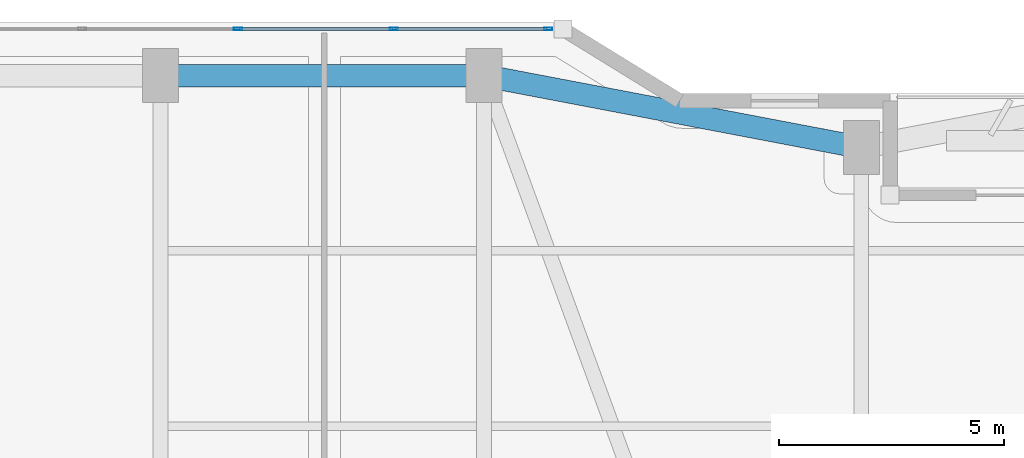
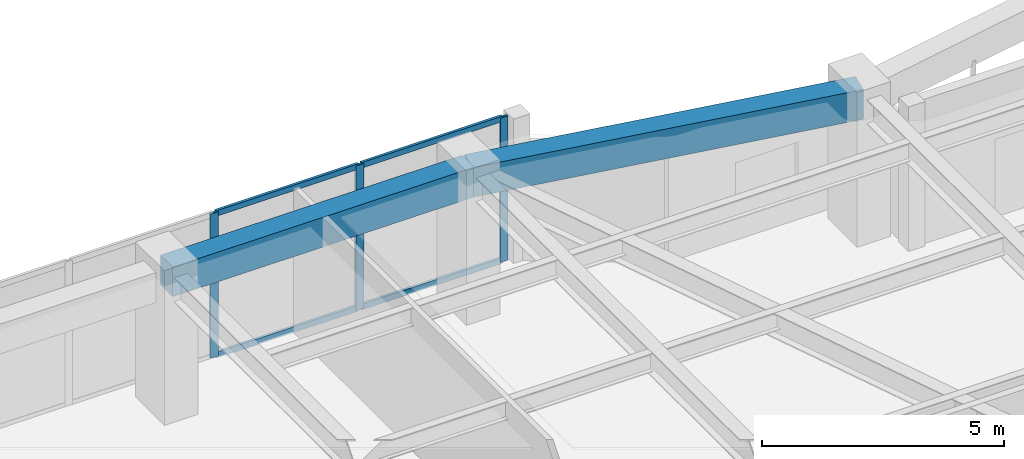
# One storey, part 14 of 24: 7 members, 2 beams, 1 element without a shape of its own.
"""IFC4 building model written with IfcOpenShell, lengths in metres."""

from ifc_helpers import new_model, si_unit, direction, frame, origin, origin_2d, place, context, subcontext, project, spatial, rectangle, hollow_rectangle, extrude, material, layer, layer_set, material_profile, profile_set, type_object, element, aggregate, save


model = new_model("IFC4")

# Units and contexts
model_context = context("Model", 3, precision=1e-05, world=origin(), true_north=direction((0.0, 1.0)))
body_context = subcontext(model_context, "Body", "Model", "MODEL_VIEW")
ifc_project = project(units=[si_unit("LENGTHUNIT", "METRE"), si_unit("AREAUNIT", "SQUARE_METRE"), si_unit("VOLUMEUNIT", "CUBIC_METRE"), si_unit("PLANEANGLEUNIT", "RADIAN"), si_unit("MASSUNIT", "GRAM", prefix="KILO")], contexts=[model_context])

# Site, building, storey
site_placement = place(None, origin())
site = spatial("IfcSite", under=ifc_project, at=site_placement, CompositionType="ELEMENT")
building_placement = place(site_placement, origin())
building = spatial("IfcBuilding", under=site, at=building_placement, Name="Kiyonajd Concourse Tower", CompositionType="ELEMENT")
storey_placement = place(building_placement, frame((0.0, 0.0, 113.10009765625)))
storey = spatial("IfcBuildingStorey", under=building, at=storey_placement, Name="L29", CompositionType="ELEMENT", Elevation=113.10009765625)

# Beams
ifc_material_1 = material(Name="Precast concrete C50/60", Category="concrete")
ifc_material_profile_1 = material_profile(ifc_material_1, rectangle(XDim=0.5, YDim=0.75, at=origin_2d()), Name="RCBM-500x750")
ifc_profile_set_1 = profile_set([ifc_material_profile_1], Name="Precast concrete C50/60")
beam_type = type_object("IfcBeamType", Name="BM-SPAN-RC", PredefinedType="SPANDREL", material=ifc_profile_set_1)
beam_1_placement = place(storey_placement, frame((48.0, 59.60009765625, 3.264892578125), z_axis=(-0.982341315253, 0.187097675953, 0.0), x_axis=(-0.187097675953, -0.982341315253, 0.0)))
element("IfcBeam", 1, at=beam_1_placement, inside=storey, type_object=beam_type, Name="L29 Perimeter Bundled Tube Spandrel", PredefinedType="SPANDREL", context=body_context, shape_type="SweptSolid", body=[
    extrude(rectangle(XDim=0.5, YDim=0.75, at=origin_2d()), origin(), (0.0, 0.0, 1.0), 8.55078125),
])
beam_2_placement = place(storey_placement, frame((39.60009765625, 61.199951171875, 3.264892578125), z_axis=(-1.0, 0.0, 0.0), x_axis=(0.0, -1.0, 0.0)))
element("IfcBeam", 2, at=beam_2_placement, inside=storey, type_object=beam_type, Name="L29 Perimeter Bundled Tube Spandrel", PredefinedType="SPANDREL", context=body_context, shape_type="SweptSolid", body=[
    extrude(rectangle(XDim=0.5, YDim=0.75, at=origin_2d()), origin(), (0.0, 0.0, 1.0), 7.2001953125),
])

# Curtain wall, members
ifc_material_2 = material(Name="Thermally Broken Anodised Aluminium", Category="aluminium")
ifc_layer = layer(ifc_material_2, 0.179931640625)
ifc_layer_set = layer_set([ifc_layer], Name="Thermally Broken Anodised Aluminium")
curtain_wall_type = type_object("IfcCurtainWallType", Name="CW-SYS-03", PredefinedType="NOTDEFINED", material=ifc_layer_set)
curtain_wall_placement = place(storey_placement, origin())
curtain_wall = element("IfcCurtainWall", 3, at=curtain_wall_placement, inside=storey, type_object=curtain_wall_type, Name="L29 Unitised Curtain Wall CW3", PredefinedType="NOTDEFINED")
ifc_material_profile_2 = material_profile(ifc_material_2, hollow_rectangle(XDim=0.06494140625, YDim=0.179931640625, WallThickness=0.00390625, at=origin_2d()), Name="MULL-65x180")
ifc_profile_set_2 = profile_set([ifc_material_profile_2], Name="Thermally Broken Anodised Aluminium")
member_type_1 = type_object("IfcMemberType", Name="MB-CW-MULL1", PredefinedType="MULLION", material=ifc_profile_set_2)
member_1_placement = place(storey_placement, frame((34.123291015625, 62.239990234375, 0.0), z_axis=(0.0, 0.0, 1.0), x_axis=(0.0, 1.0, 0.0)))
member_1 = element("IfcMember", 4, at=member_1_placement, type_object=member_type_1, Name="CW3 mullion 4", PredefinedType="MULLION", context=body_context, shape_type="SweptSolid", body=[
    extrude(hollow_rectangle(XDim=0.06494140625, YDim=0.179931640625, WallThickness=0.00390625, at=origin_2d()), origin(), (0.0, 0.0, 1.0), 3.639892578125),
])
member_2_placement = place(storey_placement, frame((37.593994140625, 62.239990234375, 0.0), z_axis=(0.0, 0.0, 1.0), x_axis=(0.0, 1.0, 0.0)))
member_2 = element("IfcMember", 5, at=member_2_placement, type_object=member_type_1, Name="CW3 mullion 5", PredefinedType="MULLION", context=body_context, shape_type="SweptSolid", body=[
    extrude(hollow_rectangle(XDim=0.06494140625, YDim=0.179931640625, WallThickness=0.00390625, at=origin_2d()), origin(), (0.0, 0.0, 1.0), 3.639892578125),
])
member_3_placement = place(storey_placement, frame((41.0322265625, 62.239990234375, 0.0), z_axis=(0.0, 0.0, 1.0), x_axis=(0.0, 1.0, 0.0)))
member_3 = element("IfcMember", 6, at=member_3_placement, type_object=member_type_1, Name="CW3 mullion 6", PredefinedType="MULLION", context=body_context, shape_type="SweptSolid", body=[
    extrude(hollow_rectangle(XDim=0.06494140625, YDim=0.179931640625, WallThickness=0.00390625, at=origin_2d()), origin(), (0.0, 0.0, 1.0), 3.639892578125),
])
ifc_material_profile_3 = material_profile(ifc_material_2, hollow_rectangle(XDim=0.06494140625, YDim=0.139892578125, WallThickness=0.00390625, at=origin_2d()), Name="TRAN-65x140")
ifc_profile_set_3 = profile_set([ifc_material_profile_3], Name="Thermally Broken Anodised Aluminium")
member_type_2 = type_object("IfcMemberType", Name="MB-CW-TRAN1", PredefinedType="USERDEFINED", material=ifc_profile_set_3)
member_4_placement = place(storey_placement, frame((34.15576171875, 62.239990234375, 0.032470703125), z_axis=(1.0, 0.0, 0.0), x_axis=(0.0, 1.0, 0.0)))
member_4 = element("IfcMember", 7, at=member_4_placement, type_object=member_type_2, Name="CW3 transom 4.1", ObjectType="TRANSOM", PredefinedType="USERDEFINED", context=body_context, shape_type="SweptSolid", body=[
    extrude(hollow_rectangle(XDim=0.06494140625, YDim=0.139892578125, WallThickness=0.00390625, at=origin_2d()), origin(), (0.0, 0.0, 1.0), 3.40576171875),
])
member_5_placement = place(storey_placement, frame((34.15576171875, 62.239990234375, 3.607421875), z_axis=(1.0, 0.0, 0.0), x_axis=(0.0, 1.0, 0.0)))
member_5 = element("IfcMember", 8, at=member_5_placement, type_object=member_type_2, Name="CW3 transom 4.2", ObjectType="TRANSOM", PredefinedType="USERDEFINED", context=body_context, shape_type="SweptSolid", body=[
    extrude(hollow_rectangle(XDim=0.06494140625, YDim=0.139892578125, WallThickness=0.00390625, at=origin_2d()), origin(), (0.0, 0.0, 1.0), 3.40576171875),
])
member_6_placement = place(storey_placement, frame((37.62646484375, 62.239990234375, 0.032470703125), z_axis=(1.0, 0.0, 0.0), x_axis=(0.0, 1.0, 0.0)))
member_6 = element("IfcMember", 9, at=member_6_placement, type_object=member_type_2, Name="CW3 transom 5.1", ObjectType="TRANSOM", PredefinedType="USERDEFINED", context=body_context, shape_type="SweptSolid", body=[
    extrude(hollow_rectangle(XDim=0.06494140625, YDim=0.139892578125, WallThickness=0.00390625, at=origin_2d()), origin(), (0.0, 0.0, 1.0), 3.373291015625),
])
member_7_placement = place(storey_placement, frame((37.62646484375, 62.239990234375, 3.607421875), z_axis=(1.0, 0.0, 0.0), x_axis=(0.0, 1.0, 0.0)))
member_7 = element("IfcMember", 10, at=member_7_placement, type_object=member_type_2, Name="CW3 transom 5.2", ObjectType="TRANSOM", PredefinedType="USERDEFINED", context=body_context, shape_type="SweptSolid", body=[
    extrude(hollow_rectangle(XDim=0.06494140625, YDim=0.139892578125, WallThickness=0.00390625, at=origin_2d()), origin(), (0.0, 0.0, 1.0), 3.373291015625),
])
aggregate(curtain_wall, [member_1, member_2, member_3, member_4, member_5, member_6, member_7])

save(model, "model.ifc")
